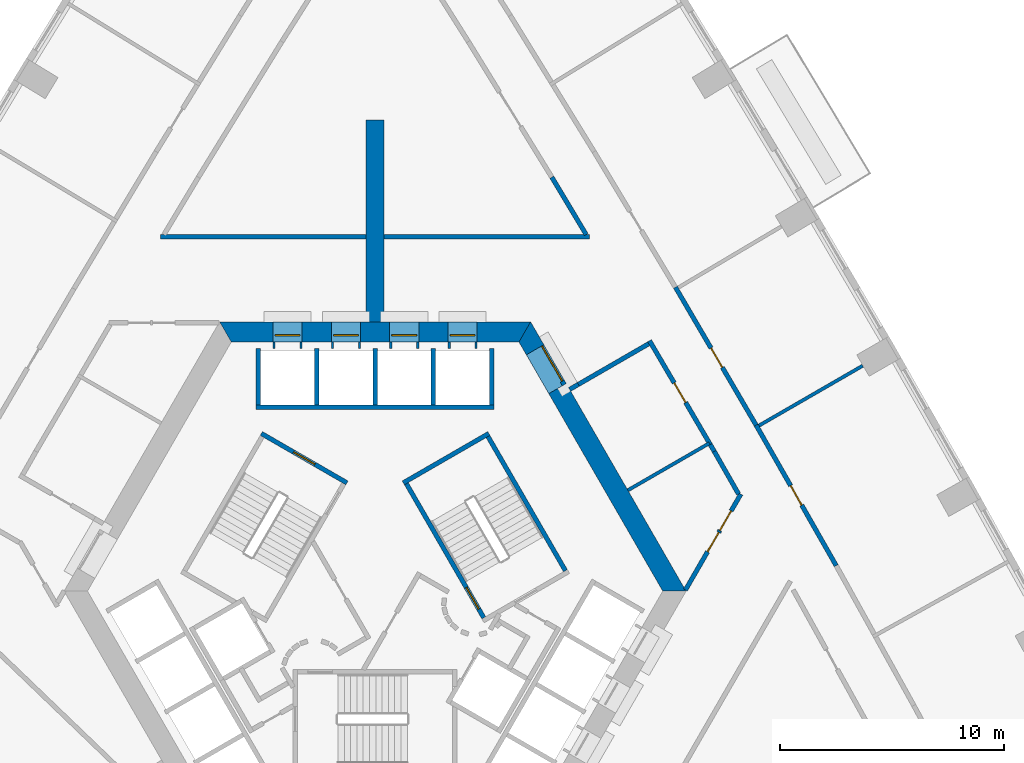
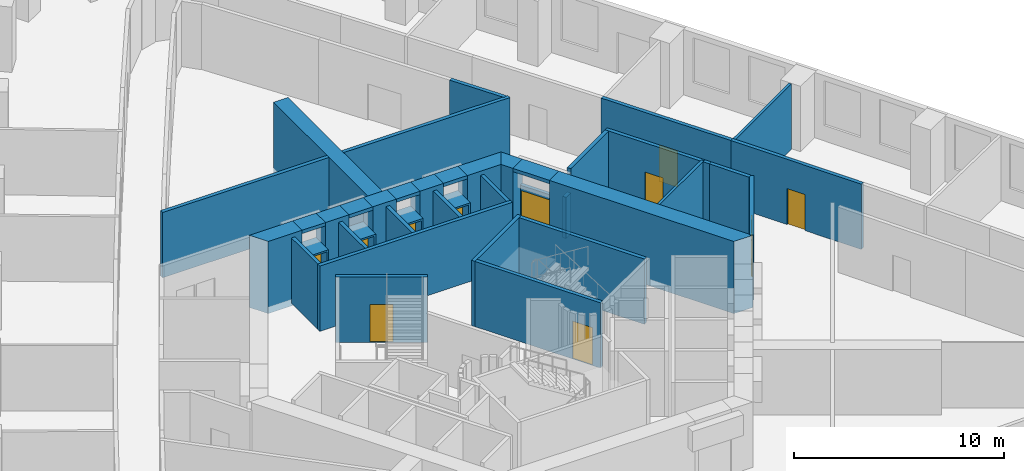
# One storey, part 9 of 15: 41 walls, 12 doors, 12 openings.
"""IFC4 building model written with IfcOpenShell, lengths in metres."""

from ifc_helpers import new_model, si_unit, direction, frame, frame_2d, origin, place, context, subcontext, project, spatial, polyline, rectangle, outline, extrude, material, layer, layer_set, type_object, element, fill, save


model = new_model("IFC4")

# Units and contexts
model_context = context("Model", 3, precision=1e-05, world=origin(), true_north=direction((0.0, 1.0)))
body_context = subcontext(model_context, "Body", "Model", "MODEL_VIEW")
ifc_project = project(units=[si_unit("LENGTHUNIT", "METRE"), si_unit("AREAUNIT", "SQUARE_METRE"), si_unit("VOLUMEUNIT", "CUBIC_METRE"), si_unit("PLANEANGLEUNIT", "RADIAN"), si_unit("MASSUNIT", "GRAM", prefix="KILO")], contexts=[model_context])

# Site, building, storey
site_placement = place(None, origin())
site = spatial("IfcSite", under=ifc_project, at=site_placement, CompositionType="ELEMENT")
building_placement = place(site_placement, origin())
building = spatial("IfcBuilding", under=site, at=building_placement, Name="Entoto Arch Interchange Tower", CompositionType="ELEMENT")
storey_placement = place(building_placement, frame((0.0, 0.0, 99.199951171875)))
storey = spatial("IfcBuildingStorey", under=building, at=storey_placement, Name="L21", CompositionType="ELEMENT", Elevation=99.199951171875)

# Wall
ifc_material_1 = material(Name="Concrete C60/75", Category="concrete")
ifc_layer_1 = layer(ifc_material_1, 0.800048828125)
ifc_layer_set_1 = layer_set([ifc_layer_1], Name="Concrete C60/75")
wall_type_1 = type_object("IfcWallType", Name="Buttress wall 800 C60/75", PredefinedType="SHEAR", material=ifc_layer_set_1)
wall_1_placement = place(storey_placement, frame((0.0, 14.5, -0.39990234375), z_axis=(0.0, 0.0, 1.0), x_axis=(0.0, 1.0, 0.0)))
element("IfcWall", 1, at=wall_1_placement, inside=storey, type_object=wall_type_1, Name="Buttress wall N L21", PredefinedType="SHEAR", context=body_context, shape_type="SweptSolid", body=[
    extrude(rectangle(XDim=9.0, YDim=0.800048828125, at=frame_2d((4.5, 0.0))), origin(), (0.0, 0.0, 1.0), 4.199951171875),
])

# Wall, opening, door
ifc_material_2 = material(Name="Reinforced concrete C40/50", Category="concrete")
ifc_layer_2 = layer(ifc_material_2, 0.199951171875)
ifc_layer_set_2 = layer_set([ifc_layer_2], Name="Reinforced concrete C40/50")
wall_type_2 = type_object("IfcWallType", Name="CORE GAP INFILL WALL", PredefinedType="PARTITIONING", material=ifc_layer_set_2)
wall_2_placement = place(storey_placement, frame((8.429931640625, 11.697998046875, 0.0), z_axis=(0.0, 0.0, 1.0), x_axis=(-0.50002537861, 0.866010750942, 0.0)))
wall_2 = element("IfcWall", 2, at=wall_2_placement, inside=storey, type_object=wall_type_2, Name="wall:L21:gap2", PredefinedType="PARTITIONING", context=body_context, shape_type="SweptSolid", body=[
    extrude(rectangle(XDim=2.0, YDim=0.199951171875, at=frame_2d((1.0, 0.0))), origin(), (0.0, 0.0, 1.0), 2.400146484375),
])
opening_1_placement = place(wall_2_placement, frame((0.18994140625, 0.0, 0.0)))
opening_1 = element("IfcOpeningElement", 3, at=opening_1_placement, cuts=wall_2, Name="Opening L21-D92", PredefinedType="OPENING", context=body_context, shape_type="SweptSolid", body=[
    extrude(rectangle(XDim=1.800048828125, YDim=2.10009765625, at=frame_2d((0.89990234375, 1.050048828125))), frame((0.0, 0.10986328125, 0.0), z_axis=(0.0, -1.0, 0.0), x_axis=(1.0, 0.0, 0.0)), (0.0, 0.0, 1.0), 0.219970703125),
])
ifc_material_3 = material(Name="Fire-rated Steel S235 door and frame", Category="steel")
door_type_1 = type_object("IfcDoorType", Name="DOOR FD-18 1800x2100", OperationType="DOUBLE_DOOR_SINGLE_SWING", PredefinedType="DOOR", material=ifc_material_3)
door_1_placement = place(opening_1_placement, origin())
door_1 = element("IfcDoor", 4, at=door_1_placement, inside=storey, type_object=door_type_1, Name="door:L21:gap2", OperationType="DOUBLE_DOOR_SINGLE_SWING", OverallHeight=2.10009765625, OverallWidth=1.800048828125, PredefinedType="DOOR", context=body_context, shape_type="SweptSolid", body=[
    extrude(rectangle(XDim=1.800048828125, YDim=2.10009765625, at=frame_2d((0.89990234375, 1.050048828125))), frame((0.0, 0.02490234375, 0.0), z_axis=(0.0, -1.0, 0.0), x_axis=(1.0, 0.0, 0.0)), (0.0, 0.0, 1.0), 0.050048828125),
])
fill(opening_1, door_1)

# Walls
ifc_layer_3 = layer(ifc_material_1, 0.89990234375)
ifc_layer_set_3 = layer_set([ifc_layer_3], Name="Concrete C60/75")
wall_type_3 = type_object("IfcWallType", Name="Core wall 900 C60/75", PredefinedType="SHEAR", material=ifc_layer_set_3)
wall_3_placement = place(storey_placement, frame((0.0, 0.0, -0.39990234375)))
element("IfcWall", 5, at=wall_3_placement, inside=storey, type_object=wall_type_3, Name="Core wall NE L21", PredefinedType="SHEAR", context=body_context, shape_type="SweptSolid", body=[
    extrude(outline(polyline([(8.51708984375, 11.748046875), (7.738037109375, 11.298095703125), (12.81689453125, 2.5), (13.85595703125, 2.5), (8.51708984375, 11.748046875)])), origin(), (0.0, 0.0, 1.0), 4.199951171875),
])
wall_4_placement = place(storey_placement, frame((0.0, 0.0, -0.39990234375)))
element("IfcWall", 6, at=wall_4_placement, inside=storey, type_object=wall_type_3, Name="Core wall NE L21", PredefinedType="SHEAR", context=body_context, shape_type="SweptSolid", body=[
    extrude(outline(polyline([(6.738037109375, 13.030029296875), (7.51708984375, 13.47998046875), (6.927978515625, 14.5), (6.408935546875, 13.60009765625), (6.738037109375, 13.030029296875)])), origin(), (0.0, 0.0, 1.0), 4.199951171875),
])
wall_5_placement = place(storey_placement, frame((0.0, 0.0, 3.60009765625)))
element("IfcWall", 7, at=wall_5_placement, inside=storey, type_object=wall_type_3, Name="Core wall lintel NE L21", PredefinedType="SHEAR", context=body_context, shape_type="SweptSolid", body=[
    extrude(outline(polyline([(7.51708984375, 13.47998046875), (6.738037109375, 13.030029296875), (7.738037109375, 11.298095703125), (8.51708984375, 11.748046875), (7.51708984375, 13.47998046875)])), origin(), (0.0, 0.0, 1.0), 0.199951171875),
])
wall_6_placement = place(storey_placement, frame((0.0, 0.0, -0.39990234375)))
element("IfcWall", 8, at=wall_6_placement, inside=storey, type_object=wall_type_3, Name="Core wall N L21", PredefinedType="SHEAR", context=body_context, shape_type="SweptSolid", body=[
    extrude(outline(polyline([(4.550048828125, 14.5), (4.550048828125, 13.60009765625), (6.408935546875, 13.60009765625), (6.927978515625, 14.5), (4.550048828125, 14.5)])), origin(), (0.0, 0.0, 1.0), 4.199951171875),
])
wall_7_placement = place(storey_placement, frame((0.0, 0.0, -0.39990234375)))
element("IfcWall", 9, at=wall_7_placement, inside=storey, type_object=wall_type_3, Name="Core wall N L21", PredefinedType="SHEAR", context=body_context, shape_type="SweptSolid", body=[
    extrude(outline(polyline([(1.949951171875, 14.5), (1.949951171875, 13.60009765625), (3.25, 13.60009765625), (3.25, 14.5), (1.949951171875, 14.5)])), origin(), (0.0, 0.0, 1.0), 4.199951171875),
])
wall_8_placement = place(storey_placement, frame((0.0, 0.0, -0.39990234375)))
element("IfcWall", 10, at=wall_8_placement, inside=storey, type_object=wall_type_3, Name="Core wall N L21", PredefinedType="SHEAR", context=body_context, shape_type="SweptSolid", body=[
    extrude(outline(polyline([(-0.64990234375, 14.5), (-0.64990234375, 13.60009765625), (0.64990234375, 13.60009765625), (0.64990234375, 14.5), (-0.64990234375, 14.5)])), origin(), (0.0, 0.0, 1.0), 4.199951171875),
])
wall_9_placement = place(storey_placement, frame((0.0, 0.0, -0.39990234375)))
element("IfcWall", 11, at=wall_9_placement, inside=storey, type_object=wall_type_3, Name="Core wall N L21", PredefinedType="SHEAR", context=body_context, shape_type="SweptSolid", body=[
    extrude(outline(polyline([(-3.25, 14.5), (-3.25, 13.60009765625), (-1.949951171875, 13.60009765625), (-1.949951171875, 14.5), (-3.25, 14.5)])), origin(), (0.0, 0.0, 1.0), 4.199951171875),
])
wall_10_placement = place(storey_placement, frame((0.0, 0.0, -0.39990234375)))
element("IfcWall", 12, at=wall_10_placement, inside=storey, type_object=wall_type_3, Name="Core wall N L21", PredefinedType="SHEAR", context=body_context, shape_type="SweptSolid", body=[
    extrude(outline(polyline([(-4.550048828125, 13.60009765625), (-4.550048828125, 14.5), (-6.927978515625, 14.5), (-6.408935546875, 13.60009765625), (-4.550048828125, 13.60009765625)])), origin(), (0.0, 0.0, 1.0), 4.199951171875),
])
wall_11_placement = place(storey_placement, frame((0.0, 0.0, 3.60009765625)))
element("IfcWall", 13, at=wall_11_placement, inside=storey, type_object=wall_type_3, Name="Core wall lintel N L21", PredefinedType="SHEAR", context=body_context, shape_type="SweptSolid", body=[
    extrude(outline(polyline([(3.25, 14.5), (3.25, 13.60009765625), (4.550048828125, 13.60009765625), (4.550048828125, 14.5), (3.25, 14.5)])), origin(), (0.0, 0.0, 1.0), 0.199951171875),
])
wall_12_placement = place(storey_placement, frame((0.0, 0.0, 3.60009765625)))
element("IfcWall", 14, at=wall_12_placement, inside=storey, type_object=wall_type_3, Name="Core wall lintel N L21", PredefinedType="SHEAR", context=body_context, shape_type="SweptSolid", body=[
    extrude(outline(polyline([(0.64990234375, 14.5), (0.64990234375, 13.60009765625), (1.949951171875, 13.60009765625), (1.949951171875, 14.5), (0.64990234375, 14.5)])), origin(), (0.0, 0.0, 1.0), 0.199951171875),
])
wall_13_placement = place(storey_placement, frame((0.0, 0.0, 3.60009765625)))
element("IfcWall", 15, at=wall_13_placement, inside=storey, type_object=wall_type_3, Name="Core wall lintel N L21", PredefinedType="SHEAR", context=body_context, shape_type="SweptSolid", body=[
    extrude(outline(polyline([(-1.949951171875, 14.5), (-1.949951171875, 13.60009765625), (-0.64990234375, 13.60009765625), (-0.64990234375, 14.5), (-1.949951171875, 14.5)])), origin(), (0.0, 0.0, 1.0), 0.199951171875),
])
wall_14_placement = place(storey_placement, frame((0.0, 0.0, 3.60009765625)))
element("IfcWall", 16, at=wall_14_placement, inside=storey, type_object=wall_type_3, Name="Core wall lintel N L21", PredefinedType="SHEAR", context=body_context, shape_type="SweptSolid", body=[
    extrude(outline(polyline([(-4.550048828125, 14.5), (-4.550048828125, 13.60009765625), (-3.25, 13.60009765625), (-3.25, 14.5), (-4.550048828125, 14.5)])), origin(), (0.0, 0.0, 1.0), 0.199951171875),
])

# Wall, opening, door
ifc_material_4 = material(Name="Concrete C40/50", Category="concrete")
ifc_layer_4 = layer(ifc_material_4, 1.199951171875)
ifc_layer_set_4 = layer_set([ifc_layer_4], Name="Concrete C40/50")
wall_type_4 = type_object("IfcWallType", Name="LIFT LANDING INFILL WALL", PredefinedType="STANDARD", material=ifc_layer_set_4)
wall_15_placement = place(storey_placement, frame((4.550048828125, 13.89990234375, 0.0), z_axis=(0.0, 0.0, 1.0), x_axis=(-1.0, 0.0, 0.0)))
wall_15 = element("IfcWall", 17, at=wall_15_placement, inside=storey, type_object=wall_type_4, Name="Lift landing infill wall LR1 L21", PredefinedType="STANDARD", context=body_context, shape_type="SweptSolid", body=[
    extrude(rectangle(XDim=1.300048828125, YDim=1.199951171875, at=frame_2d((0.64990234375, 0.0))), origin(), (0.0, 0.0, 1.0), 2.400146484375),
])
opening_2_placement = place(wall_15_placement, frame((0.10009765625, 0.0, 0.0)))
opening_2 = element("IfcOpeningElement", 18, at=opening_2_placement, cuts=wall_15, Name="Opening LD-LR1-L21", PredefinedType="OPENING", context=body_context, shape_type="SweptSolid", body=[
    extrude(rectangle(XDim=1.10009765625, YDim=2.300048828125, at=frame_2d((0.550048828125, 1.14990234375))), frame((0.0, 0.60986328125, 0.0), z_axis=(0.0, -1.0, 0.0), x_axis=(1.0, 0.0, 0.0)), (0.0, 0.0, 1.0), 1.219970703125),
])
ifc_material_5 = material(Name="Stainless steel 1.4301 panels", Category="steel")
door_type_2 = type_object("IfcDoorType", Name="LIFT LANDING DOOR LD2 1100x2300", OperationType="SLIDING_TO_LEFT", PredefinedType="DOOR", material=ifc_material_5)
door_2_placement = place(opening_2_placement, origin())
door_2 = element("IfcDoor", 19, at=door_2_placement, inside=storey, type_object=door_type_2, Name="Lift landing door LR1 L21", OperationType="SLIDING_TO_LEFT", OverallHeight=2.300048828125, OverallWidth=1.10009765625, PredefinedType="DOOR", context=body_context, shape_type="SweptSolid", body=[
    extrude(rectangle(XDim=1.10009765625, YDim=2.300048828125, at=frame_2d((0.550048828125, 1.14990234375))), frame((0.0, 0.02490234375, 0.0), z_axis=(0.0, -1.0, 0.0), x_axis=(1.0, 0.0, 0.0)), (0.0, 0.0, 1.0), 0.050048828125),
])
fill(opening_2, door_2)

wall_16_placement = place(storey_placement, frame((1.949951171875, 13.89990234375, 0.0), z_axis=(0.0, 0.0, 1.0), x_axis=(-1.0, 0.0, 0.0)))
wall_16 = element("IfcWall", 20, at=wall_16_placement, inside=storey, type_object=wall_type_4, Name="Lift landing infill wall LR2 L21", PredefinedType="STANDARD", context=body_context, shape_type="SweptSolid", body=[
    extrude(rectangle(XDim=1.300048828125, YDim=1.199951171875, at=frame_2d((0.64990234375, 0.0))), origin(), (0.0, 0.0, 1.0), 2.400146484375),
])
opening_3_placement = place(wall_16_placement, frame((0.10009765625, 0.0, 0.0)))
opening_3 = element("IfcOpeningElement", 21, at=opening_3_placement, cuts=wall_16, Name="Opening LD-LR2-L21", PredefinedType="OPENING", context=body_context, shape_type="SweptSolid", body=[
    extrude(rectangle(XDim=1.10009765625, YDim=2.300048828125, at=frame_2d((0.550048828125, 1.14990234375))), frame((0.0, 0.60986328125, 0.0), z_axis=(0.0, -1.0, 0.0), x_axis=(1.0, 0.0, 0.0)), (0.0, 0.0, 1.0), 1.219970703125),
])
door_3_placement = place(opening_3_placement, origin())
door_3 = element("IfcDoor", 22, at=door_3_placement, inside=storey, type_object=door_type_2, Name="Lift landing door LR2 L21", OperationType="SLIDING_TO_LEFT", OverallHeight=2.300048828125, OverallWidth=1.10009765625, PredefinedType="DOOR", context=body_context, shape_type="SweptSolid", body=[
    extrude(rectangle(XDim=1.10009765625, YDim=2.300048828125, at=frame_2d((0.550048828125, 1.14990234375))), frame((0.0, 0.02490234375, 0.0), z_axis=(0.0, -1.0, 0.0), x_axis=(1.0, 0.0, 0.0)), (0.0, 0.0, 1.0), 0.050048828125),
])
fill(opening_3, door_3)

wall_17_placement = place(storey_placement, frame((-0.64990234375, 13.89990234375, 0.0), z_axis=(0.0, 0.0, 1.0), x_axis=(-1.0, 0.0, 0.0)))
wall_17 = element("IfcWall", 23, at=wall_17_placement, inside=storey, type_object=wall_type_4, Name="Lift landing infill wall LR3 L21", PredefinedType="STANDARD", context=body_context, shape_type="SweptSolid", body=[
    extrude(rectangle(XDim=1.300048828125, YDim=1.199951171875, at=frame_2d((0.64990234375, 0.0))), origin(), (0.0, 0.0, 1.0), 2.400146484375),
])
opening_4_placement = place(wall_17_placement, frame((0.10009765625, 0.0, 0.0)))
opening_4 = element("IfcOpeningElement", 24, at=opening_4_placement, cuts=wall_17, Name="Opening LD-LR3-L21", PredefinedType="OPENING", context=body_context, shape_type="SweptSolid", body=[
    extrude(rectangle(XDim=1.10009765625, YDim=2.300048828125, at=frame_2d((0.550048828125, 1.14990234375))), frame((0.0, 0.60986328125, 0.0), z_axis=(0.0, -1.0, 0.0), x_axis=(1.0, 0.0, 0.0)), (0.0, 0.0, 1.0), 1.219970703125),
])
door_4_placement = place(opening_4_placement, origin())
door_4 = element("IfcDoor", 25, at=door_4_placement, inside=storey, type_object=door_type_2, Name="Lift landing door LR3 L21", OperationType="SLIDING_TO_LEFT", OverallHeight=2.300048828125, OverallWidth=1.10009765625, PredefinedType="DOOR", context=body_context, shape_type="SweptSolid", body=[
    extrude(rectangle(XDim=1.10009765625, YDim=2.300048828125, at=frame_2d((0.550048828125, 1.14990234375))), frame((0.0, 0.02490234375, 0.0), z_axis=(0.0, -1.0, 0.0), x_axis=(1.0, 0.0, 0.0)), (0.0, 0.0, 1.0), 0.050048828125),
])
fill(opening_4, door_4)

wall_18_placement = place(storey_placement, frame((-3.25, 13.89990234375, 0.0), z_axis=(0.0, 0.0, 1.0), x_axis=(-1.0, 0.0, 0.0)))
wall_18 = element("IfcWall", 26, at=wall_18_placement, inside=storey, type_object=wall_type_4, Name="Lift landing infill wall LR4 L21", PredefinedType="STANDARD", context=body_context, shape_type="SweptSolid", body=[
    extrude(rectangle(XDim=1.300048828125, YDim=1.199951171875, at=frame_2d((0.64990234375, 0.0))), origin(), (0.0, 0.0, 1.0), 2.400146484375),
])
opening_5_placement = place(wall_18_placement, frame((0.10009765625, 0.0, 0.0)))
opening_5 = element("IfcOpeningElement", 27, at=opening_5_placement, cuts=wall_18, Name="Opening LD-LR4-L21", PredefinedType="OPENING", context=body_context, shape_type="SweptSolid", body=[
    extrude(rectangle(XDim=1.10009765625, YDim=2.300048828125, at=frame_2d((0.550048828125, 1.14990234375))), frame((0.0, 0.60986328125, 0.0), z_axis=(0.0, -1.0, 0.0), x_axis=(1.0, 0.0, 0.0)), (0.0, 0.0, 1.0), 1.219970703125),
])
door_5_placement = place(opening_5_placement, origin())
door_5 = element("IfcDoor", 28, at=door_5_placement, inside=storey, type_object=door_type_2, Name="Lift landing door LR4 L21", OperationType="SLIDING_TO_LEFT", OverallHeight=2.300048828125, OverallWidth=1.10009765625, PredefinedType="DOOR", context=body_context, shape_type="SweptSolid", body=[
    extrude(rectangle(XDim=1.10009765625, YDim=2.300048828125, at=frame_2d((0.550048828125, 1.14990234375))), frame((0.0, 0.02490234375, 0.0), z_axis=(0.0, -1.0, 0.0), x_axis=(1.0, 0.0, 0.0)), (0.0, 0.0, 1.0), 0.050048828125),
])
fill(opening_5, door_5)

# Walls
ifc_layer_5 = layer(ifc_material_4, 0.199951171875)
ifc_layer_set_5 = layer_set([ifc_layer_5], Name="Concrete C40/50")
wall_type_5 = type_object("IfcWallType", Name="LIFT SHAFT WALL 200", PredefinedType="STANDARD", material=ifc_layer_set_5)
wall_19_placement = place(storey_placement, frame((5.300048828125, 10.699951171875, 0.0), z_axis=(0.0, 0.0, 1.0), x_axis=(-1.0, 0.0, 0.0)))
element("IfcWall", 29, at=wall_19_placement, inside=storey, type_object=wall_type_5, Name="Shaft wall N3 front", PredefinedType="STANDARD", context=body_context, shape_type="SweptSolid", body=[
    extrude(rectangle(XDim=10.60009765625, YDim=0.199951171875, at=frame_2d((5.300048828125, 0.0))), origin(), (0.0, 0.0, 1.0), 3.800048828125),
])
for number, where, z_axis, x_axis, name in (
    (30, (5.199951171875, 10.800048828125, 0.0), (0.0, 0.0, 1.0), (0.0, 1.0, 0.0), "Shaft wall N3 cross 1"),
    (31, (2.60009765625, 10.800048828125, 0.0), (0.0, 0.0, 1.0), (0.0, 1.0, 0.0), "Shaft wall N3 cross 2"),
    (32, (0.0, 10.800048828125, 0.0), (0.0, 0.0, 1.0), (0.0, 1.0, 0.0), "Shaft wall N3 cross 3"),
    (33, (-2.60009765625, 10.800048828125, 0.0), (0.0, 0.0, 1.0), (0.0, 1.0, 0.0), "Shaft wall N3 cross 4"),
    (34, (-5.199951171875, 10.800048828125, 0.0), (0.0, 0.0, 1.0), (0.0, 1.0, 0.0), "Shaft wall N3 cross 5"),
):
    element("IfcWall", number, at=place(storey_placement, frame(where, z_axis=z_axis, x_axis=x_axis)), inside=storey, type_object=wall_type_5, Name=name, PredefinedType="STANDARD", context=body_context, shape_type="SweptSolid", body=[
        extrude(rectangle(XDim=2.5, YDim=0.199951171875, at=frame_2d((1.25, 0.0))), origin(), (0.0, 0.0, 1.0), 3.800048828125),
    ])
ifc_material_6 = material(Name="Gypsum board partition on steel studs", Category="steel")
ifc_layer_6 = layer(ifc_material_6, 0.14990234375)
ifc_layer_set_6 = layer_set([ifc_layer_6], Name="Gypsum board partition on steel studs")
wall_type_6 = type_object("IfcWallType", Name="PARTITION 150", PredefinedType="PARTITIONING", material=ifc_layer_set_6)
wall_20_placement = place(storey_placement, frame((11.260986328125, 6.993896484375, 0.0), z_axis=(0.0, 0.0, 1.0), x_axis=(0.866037428454, 0.499979172084, 0.0)))
element("IfcWall", 35, at=wall_20_placement, inside=storey, type_object=wall_type_6, Name="wall:L21:p097", PredefinedType="PARTITIONING", context=body_context, shape_type="SweptSolid", body=[
    extrude(rectangle(XDim=4.198486328125, YDim=0.14990234375, at=frame_2d((2.09912109375, 0.0))), origin(), (0.0, 0.0, 1.0), 3.800048828125),
])
wall_21_placement = place(storey_placement, frame((17.10400390625, 9.875, 0.0), z_axis=(0.0, 0.0, 1.0), x_axis=(0.866024640963, 0.500001321243, 0.0)))
element("IfcWall", 36, at=wall_21_placement, inside=storey, type_object=wall_type_6, Name="wall:L21:p142", PredefinedType="PARTITIONING", context=body_context, shape_type="SweptSolid", body=[
    extrude(rectangle(XDim=5.330078125, YDim=0.14990234375, at=frame_2d((2.6650390625, 0.0))), origin(), (0.0, 0.0, 1.0), 3.800048828125),
])
ifc_layer_7 = layer(ifc_material_6, 0.199951171875)
ifc_layer_set_7 = layer_set([ifc_layer_7], Name="Gypsum board partition on steel studs")
wall_type_7 = type_object("IfcWallType", Name="PARTITION 200", PredefinedType="PARTITIONING", material=ifc_layer_set_7)
wall_22_placement = place(storey_placement, frame((16.195068359375, 6.823974609375, 0.0), z_axis=(0.0, 0.0, 1.0), x_axis=(-0.494984897559, 0.868901577388, 0.0)))
element("IfcWall", 37, at=wall_22_placement, inside=storey, type_object=wall_type_7, Name="wall:L21:p005", PredefinedType="PARTITIONING", context=body_context, shape_type="SweptSolid", body=[
    extrude(rectangle(XDim=2.18798828125, YDim=0.199951171875, at=frame_2d((1.093994140625, 0.0))), origin(), (0.0, 0.0, 1.0), 3.800048828125),
])
wall_23_placement = place(storey_placement, frame((15.112060546875, 8.72509765625, 0.0), z_axis=(0.0, 0.0, 1.0), x_axis=(-0.50443330283, 0.86345066043, 0.0)))
element("IfcWall", 38, at=wall_23_placement, inside=storey, type_object=wall_type_7, Name="wall:L21:p006", PredefinedType="PARTITIONING", context=body_context, shape_type="SweptSolid", body=[
    extrude(rectangle(XDim=0.350830078125, YDim=0.199951171875, at=frame_2d((0.17529296875, 0.0))), origin(), (0.0, 0.0, 1.0), 3.800048828125),
])

# Wall, opening, door
wall_24_placement = place(storey_placement, frame((14.93505859375, 9.028076171875, 0.0), z_axis=(0.0, 0.0, 1.0), x_axis=(-0.504934493304, 0.863157666636, 0.0)))
wall_24 = element("IfcWall", 39, at=wall_24_placement, inside=storey, type_object=wall_type_7, Name="wall:L21:p007", PredefinedType="PARTITIONING", context=body_context, shape_type="SweptSolid", body=[
    extrude(rectangle(XDim=5.364990234375, YDim=0.199951171875, at=frame_2d((2.6826171875, 0.0))), origin(), (0.0, 0.0, 1.0), 3.800048828125),
])
opening_6_placement = place(wall_24_placement, frame((2.181884765625, 0.0, 0.0)))
opening_6 = element("IfcOpeningElement", 40, at=opening_6_placement, cuts=wall_24, Name="Opening L21-D35", PredefinedType="OPENING", context=body_context, shape_type="SweptSolid", body=[
    extrude(rectangle(XDim=1.0, YDim=2.10009765625, at=frame_2d((0.5, 1.050048828125))), frame((0.0, 0.10986328125, 0.0), z_axis=(0.0, -1.0, 0.0), x_axis=(1.0, 0.0, 0.0)), (0.0, 0.0, 1.0), 0.219970703125),
])
ifc_material_7 = material(Name="Timber door leaf in Steel S235 frame", Category="steel")
door_type_3 = type_object("IfcDoorType", Name="DOOR DS-10 1000x2100", OperationType="SINGLE_SWING_LEFT", PredefinedType="DOOR", material=ifc_material_7)
door_6_placement = place(opening_6_placement, origin())
door_6 = element("IfcDoor", 41, at=door_6_placement, inside=storey, type_object=door_type_3, Name="door:L21:35", OperationType="SINGLE_SWING_LEFT", OverallHeight=2.10009765625, OverallWidth=1.0, PredefinedType="DOOR", context=body_context, shape_type="SweptSolid", body=[
    extrude(rectangle(XDim=1.0, YDim=2.10009765625, at=frame_2d((0.5, 1.050048828125))), frame((0.0, 0.02490234375, 0.0), z_axis=(0.0, -1.0, 0.0), x_axis=(1.0, 0.0, 0.0)), (0.0, 0.0, 1.0), 0.050048828125),
])
fill(opening_6, door_6)

# Walls
wall_25_placement = place(storey_placement, frame((12.18994140625, 13.52197265625, 0.0), z_axis=(0.0, 0.0, 1.0), x_axis=(-0.866000156139, -0.500043727655, 0.0)))
element("IfcWall", 42, at=wall_25_placement, inside=storey, type_object=wall_type_7, Name="wall:L21:p008", PredefinedType="PARTITIONING", context=body_context, shape_type="SweptSolid", body=[
    extrude(rectangle(XDim=3.617919921875, YDim=0.199951171875, at=frame_2d((1.80908203125, 0.0))), origin(), (0.0, 0.0, 1.0), 3.800048828125),
])
wall_26_placement = place(storey_placement, frame((9.406982421875, 18.385986328125, 0.0), z_axis=(0.0, 0.0, 1.0), x_axis=(-0.514399309837, 0.857550785691, 0.0)))
element("IfcWall", 43, at=wall_26_placement, inside=storey, type_object=wall_type_7, Name="wall:L21:p009", PredefinedType="PARTITIONING", context=body_context, shape_type="SweptSolid", body=[
    extrude(rectangle(XDim=2.978271484375, YDim=0.199951171875, at=frame_2d((1.4892578125, 0.0))), origin(), (0.0, 0.0, 1.0), 3.800048828125),
])

# Wall, opening, door
wall_27_placement = place(storey_placement, frame((16.97998046875, 9.889892578125, 0.0), z_axis=(0.0, 0.0, 1.0), x_axis=(0.495123170501, -0.868822793228, 0.0)))
wall_27 = element("IfcWall", 44, at=wall_27_placement, inside=storey, type_object=wall_type_7, Name="wall:L21:p052", PredefinedType="PARTITIONING", context=body_context, shape_type="SweptSolid", body=[
    extrude(rectangle(XDim=7.1982421875, YDim=0.199951171875, at=frame_2d((3.59912109375, 0.0))), origin(), (0.0, 0.0, 1.0), 3.800048828125),
])
opening_7_placement = place(wall_27_placement, frame((3.09912109375, 0.0, 0.0)))
opening_7 = element("IfcOpeningElement", 45, at=opening_7_placement, cuts=wall_27, Name="Opening L21-D06", PredefinedType="OPENING", context=body_context, shape_type="SweptSolid", body=[
    extrude(rectangle(XDim=1.0, YDim=2.10009765625, at=frame_2d((0.5, 1.050048828125))), frame((0.0, 0.10986328125, 0.0), z_axis=(0.0, -1.0, 0.0), x_axis=(1.0, 0.0, 0.0)), (0.0, 0.0, 1.0), 0.219970703125),
])
door_7_placement = place(opening_7_placement, origin())
door_7 = element("IfcDoor", 46, at=door_7_placement, inside=storey, type_object=door_type_3, Name="door:L21:06", OperationType="SINGLE_SWING_LEFT", OverallHeight=2.10009765625, OverallWidth=1.0, PredefinedType="DOOR", context=body_context, shape_type="SweptSolid", body=[
    extrude(rectangle(XDim=1.0, YDim=2.10009765625, at=frame_2d((0.5, 1.050048828125))), frame((0.0, 0.02490234375, 0.0), z_axis=(0.0, -1.0, 0.0), x_axis=(1.0, 0.0, 0.0)), (0.0, 0.0, 1.0), 0.050048828125),
])
fill(opening_7, door_7)

wall_28_placement = place(storey_placement, frame((13.383056640625, 16.0390625, 0.0), z_axis=(0.0, 0.0, 1.0), x_axis=(0.504806221623, -0.863232690884, 0.0)))
wall_28 = element("IfcWall", 47, at=wall_28_placement, inside=storey, type_object=wall_type_7, Name="wall:L21:p054", PredefinedType="PARTITIONING", context=body_context, shape_type="SweptSolid", body=[
    extrude(rectangle(XDim=7.12353515625, YDim=0.199951171875, at=frame_2d((3.561767578125, 0.0))), origin(), (0.0, 0.0, 1.0), 3.800048828125),
])
opening_8_placement = place(wall_28_placement, frame((3.136962890625, 0.0, 0.0)))
opening_8 = element("IfcOpeningElement", 48, at=opening_8_placement, cuts=wall_28, Name="Opening L21-D07", PredefinedType="OPENING", context=body_context, shape_type="SweptSolid", body=[
    extrude(rectangle(XDim=1.0, YDim=2.10009765625, at=frame_2d((0.5, 1.050048828125))), frame((0.0, 0.10986328125, 0.0), z_axis=(0.0, -1.0, 0.0), x_axis=(1.0, 0.0, 0.0)), (0.0, 0.0, 1.0), 0.219970703125),
])
door_8_placement = place(opening_8_placement, origin())
door_8 = element("IfcDoor", 49, at=door_8_placement, inside=storey, type_object=door_type_3, Name="door:L21:07", OperationType="SINGLE_SWING_LEFT", OverallHeight=2.10009765625, OverallWidth=1.0, PredefinedType="DOOR", context=body_context, shape_type="SweptSolid", body=[
    extrude(rectangle(XDim=1.0, YDim=2.10009765625, at=frame_2d((0.5, 1.050048828125))), frame((0.0, 0.02490234375, 0.0), z_axis=(0.0, -1.0, 0.0), x_axis=(1.0, 0.0, 0.0)), (0.0, 0.0, 1.0), 0.050048828125),
])
fill(opening_8, door_8)

# Wall, openings, doors
wall_29_placement = place(storey_placement, frame((13.826904296875, 2.550048828125, 0.0), z_axis=(0.0, 0.0, 1.0), x_axis=(0.500070719615, 0.865984569946, 0.0)))
wall_29 = element("IfcWall", 50, at=wall_29_placement, inside=storey, type_object=wall_type_7, Name="wall:L21:p098", PredefinedType="PARTITIONING", context=body_context, shape_type="SweptSolid", body=[
    extrude(rectangle(XDim=4.935302734375, YDim=0.199951171875, at=frame_2d((2.4677734375, 0.0))), origin(), (0.0, 0.0, 1.0), 3.800048828125),
])
opening_9_placement = place(wall_29_placement, frame((1.968017578125, 0.0, 0.0)))
opening_9 = element("IfcOpeningElement", 51, at=opening_9_placement, cuts=wall_29, Name="Opening L21-D34", PredefinedType="OPENING", context=body_context, shape_type="SweptSolid", body=[
    extrude(rectangle(XDim=1.0, YDim=2.10009765625, at=frame_2d((0.5, 1.050048828125))), frame((0.0, 0.10986328125, 0.0), z_axis=(0.0, -1.0, 0.0), x_axis=(1.0, 0.0, 0.0)), (0.0, 0.0, 1.0), 0.219970703125),
])
opening_10_placement = place(wall_29_placement, frame((3.068115234375, 0.0, 0.0)))
opening_10 = element("IfcOpeningElement", 52, at=opening_10_placement, cuts=wall_29, Name="Opening L21-D41", PredefinedType="OPENING", context=body_context, shape_type="SweptSolid", body=[
    extrude(rectangle(XDim=1.0, YDim=2.10009765625, at=frame_2d((0.5, 1.050048828125))), frame((0.0, 0.10986328125, 0.0), z_axis=(0.0, -1.0, 0.0), x_axis=(1.0, 0.0, 0.0)), (0.0, 0.0, 1.0), 0.219970703125),
])
door_9_placement = place(opening_9_placement, origin())
door_9 = element("IfcDoor", 53, at=door_9_placement, inside=storey, type_object=door_type_3, Name="door:L21:34", OperationType="SINGLE_SWING_LEFT", OverallHeight=2.10009765625, OverallWidth=1.0, PredefinedType="DOOR", context=body_context, shape_type="SweptSolid", body=[
    extrude(rectangle(XDim=1.0, YDim=2.10009765625, at=frame_2d((0.5, 1.050048828125))), frame((0.0, 0.02490234375, 0.0), z_axis=(0.0, -1.0, 0.0), x_axis=(1.0, 0.0, 0.0)), (0.0, 0.0, 1.0), 0.050048828125),
])
fill(opening_9, door_9)
door_10_placement = place(opening_10_placement, origin())
door_10 = element("IfcDoor", 54, at=door_10_placement, inside=storey, type_object=door_type_3, Name="door:L21:41", OperationType="SINGLE_SWING_RIGHT", OverallHeight=2.10009765625, OverallWidth=1.0, PredefinedType="DOOR", context=body_context, shape_type="SweptSolid", body=[
    extrude(rectangle(XDim=1.0, YDim=2.10009765625, at=frame_2d((0.5, 1.050048828125))), frame((0.0, 0.02490234375, 0.0), z_axis=(0.0, -1.0, 0.0), x_axis=(1.0, 0.0, 0.0)), (0.0, 0.0, 1.0), 0.050048828125),
])
fill(opening_10, door_10)

# Walls
for number, where, z_axis, x_axis, name in (
    (55, (-9.55908203125, 18.300048828125, 0.0), (0.0, 0.0, 1.0), (1.0, 0.0, 0.0), "wall:L21:p120"),
    (56, (0.39990234375, 18.300048828125, 0.0), (0.0, 0.0, 1.0), (1.0, 0.0, 0.0), "wall:L21:p120"),
):
    element("IfcWall", number, at=place(storey_placement, frame(where, z_axis=z_axis, x_axis=x_axis)), inside=storey, type_object=wall_type_7, Name=name, PredefinedType="PARTITIONING", context=body_context, shape_type="SweptSolid", body=[
        extrude(rectangle(XDim=9.1591796875, YDim=0.199951171875, at=frame_2d((4.57958984375, 0.0))), origin(), (0.0, 0.0, 1.0), 3.800048828125),
    ])
wall_30_placement = place(storey_placement, frame((9.056884765625, 11.712890625, 0.0), z_axis=(0.0, 0.0, 1.0), x_axis=(-0.866266849364, -0.49958157061, 0.0)))
element("IfcWall", 57, at=wall_30_placement, inside=storey, type_object=wall_type_7, Name="wall:L21:p008", PredefinedType="PARTITIONING", context=body_context, shape_type="SweptSolid", body=[
    extrude(rectangle(XDim=0.4501953125, YDim=0.199951171875, at=frame_2d((0.22509765625, 0.0))), origin(), (0.0, 0.0, 1.0), 2.400146484375),
])
ifc_layer_8 = layer(ifc_material_4, 0.199951171875)
ifc_layer_set_8 = layer_set([ifc_layer_8], Name="Concrete C40/50")
wall_type_8 = type_object("IfcWallType", Name="STAIR ENCLOSURE WALL 200", PredefinedType="STANDARD", material=ifc_layer_set_8)
wall_31_placement = place(storey_placement, frame((1.256103515625, 7.323974609375, 0.0), z_axis=(0.0, 0.0, 1.0), x_axis=(0.866046073146, 0.499964197906, 0.0)))
element("IfcWall", 58, at=wall_31_placement, inside=storey, type_object=wall_type_8, Name="Stair wall ST-NE far", PredefinedType="STANDARD", context=body_context, shape_type="SweptSolid", body=[
    extrude(rectangle(XDim=4.400146484375, YDim=0.199951171875, at=frame_2d((2.2001953125, 0.0))), origin(), (0.0, 0.0, 1.0), 3.800048828125),
])

# Wall, opening, door
wall_32_placement = place(storey_placement, frame((4.843017578125, 1.31201171875, 0.0), z_axis=(0.0, 0.0, 1.0), x_axis=(-0.499963383562, 0.866046543262, 0.0)))
wall_32 = element("IfcWall", 59, at=wall_32_placement, inside=storey, type_object=wall_type_8, Name="Stair wall ST-NE hall", PredefinedType="STANDARD", context=body_context, shape_type="SweptSolid", body=[
    extrude(rectangle(XDim=6.900390625, YDim=0.199951171875, at=frame_2d((3.4501953125, 0.0))), origin(), (0.0, 0.0, 1.0), 3.800048828125),
])
opening_11_placement = place(wall_32_placement, frame((0.449951171875, 0.0, 0.0)))
opening_11 = element("IfcOpeningElement", 60, at=opening_11_placement, cuts=wall_32, Name="Opening SD-ST-NE-L21", PredefinedType="OPENING", context=body_context, shape_type="SweptSolid", body=[
    extrude(rectangle(XDim=1.10009765625, YDim=2.199951171875, at=frame_2d((0.550048828125, 1.10009765625))), frame((0.0, 0.10986328125, 0.0), z_axis=(0.0, -1.0, 0.0), x_axis=(1.0, 0.0, 0.0)), (0.0, 0.0, 1.0), 0.219970703125),
])
ifc_material_8 = material(Name="Steel S235", Category="steel")
door_type_4 = type_object("IfcDoorType", Name="STAIR DOOR SD1 1100x2200", OperationType="SINGLE_SWING_LEFT", PredefinedType="DOOR", material=ifc_material_8)
door_11_placement = place(opening_11_placement, origin())
door_11 = element("IfcDoor", 61, at=door_11_placement, inside=storey, type_object=door_type_4, Name="Stair door ST-NE L21", OperationType="SINGLE_SWING_LEFT", OverallHeight=2.199951171875, OverallWidth=1.10009765625, PredefinedType="DOOR", context=body_context, shape_type="SweptSolid", body=[
    extrude(rectangle(XDim=1.10009765625, YDim=2.199951171875, at=frame_2d((0.550048828125, 1.10009765625))), frame((0.0, 0.02490234375, 0.0), z_axis=(0.0, -1.0, 0.0), x_axis=(1.0, 0.0, 0.0)), (0.0, 0.0, 1.0), 0.050048828125),
])
fill(opening_11, door_11)

# Wall
wall_33_placement = place(storey_placement, frame((8.47998046875, 3.412109375, 0.0), z_axis=(0.0, 0.0, 1.0), x_axis=(-0.499978703459, 0.866037698999, 0.0)))
element("IfcWall", 62, at=wall_33_placement, inside=storey, type_object=wall_type_8, Name="Stair wall ST-NE back", PredefinedType="STANDARD", context=body_context, shape_type="SweptSolid", body=[
    extrude(rectangle(XDim=6.900146484375, YDim=0.199951171875, at=frame_2d((3.4501953125, 0.0))), origin(), (0.0, 0.0, 1.0), 3.800048828125),
])

# Wall, opening, door
wall_34_placement = place(storey_placement, frame((-1.256103515625, 7.323974609375, 0.0), z_axis=(0.0, 0.0, 1.0), x_axis=(-0.866046073146, 0.499964197906, 0.0)))
wall_34 = element("IfcWall", 63, at=wall_34_placement, inside=storey, type_object=wall_type_8, Name="Stair wall ST-NW near", PredefinedType="STANDARD", context=body_context, shape_type="SweptSolid", body=[
    extrude(rectangle(XDim=4.400146484375, YDim=0.199951171875, at=frame_2d((2.2001953125, 0.0))), origin(), (0.0, 0.0, 1.0), 3.800048828125),
])
opening_12_placement = place(wall_34_placement, frame((1.64990234375, 0.0, 0.0)))
opening_12 = element("IfcOpeningElement", 64, at=opening_12_placement, cuts=wall_34, Name="Opening SD-ST-NW-L21-E", PredefinedType="OPENING", context=body_context, shape_type="SweptSolid", body=[
    extrude(rectangle(XDim=1.10009765625, YDim=2.199951171875, at=frame_2d((0.550048828125, 1.10009765625))), frame((0.0, 0.10986328125, 0.0), z_axis=(0.0, -1.0, 0.0), x_axis=(1.0, 0.0, 0.0)), (0.0, 0.0, 1.0), 0.219970703125),
])
door_12_placement = place(opening_12_placement, origin())
door_12 = element("IfcDoor", 65, at=door_12_placement, inside=storey, type_object=door_type_4, Name="Stair door ST-NW L21 end", OperationType="SINGLE_SWING_LEFT", OverallHeight=2.199951171875, OverallWidth=1.10009765625, PredefinedType="DOOR", context=body_context, shape_type="SweptSolid", body=[
    extrude(rectangle(XDim=1.10009765625, YDim=2.199951171875, at=frame_2d((0.550048828125, 1.10009765625))), frame((0.0, 0.02490234375, 0.0), z_axis=(0.0, -1.0, 0.0), x_axis=(1.0, 0.0, 0.0)), (0.0, 0.0, 1.0), 0.050048828125),
])
fill(opening_12, door_12)

save(model, "model.ifc")
